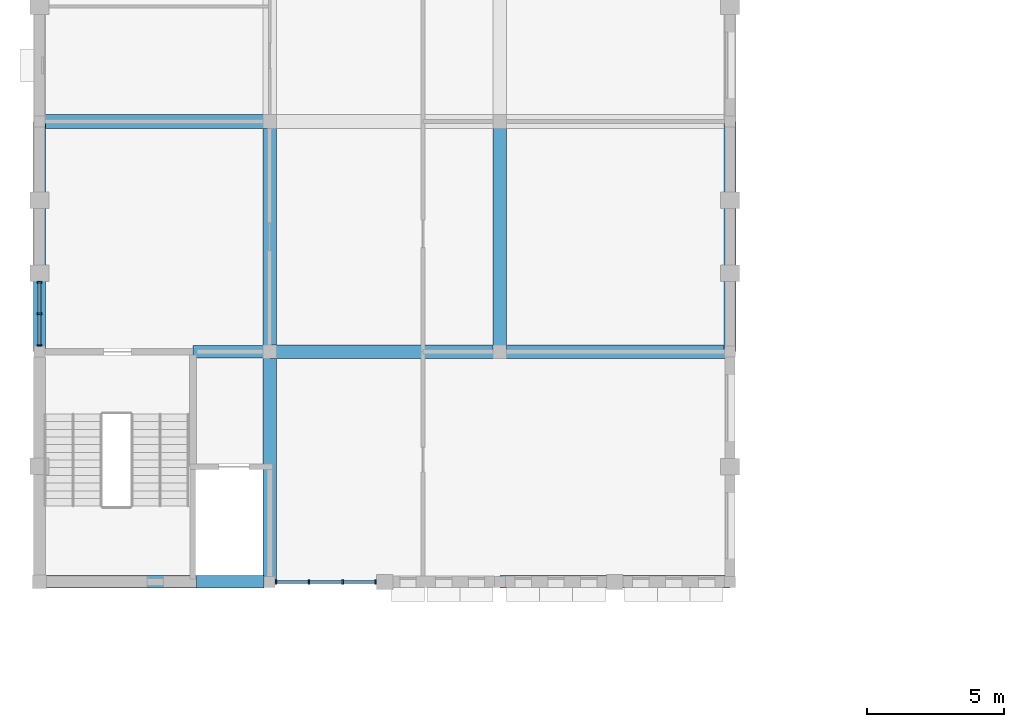
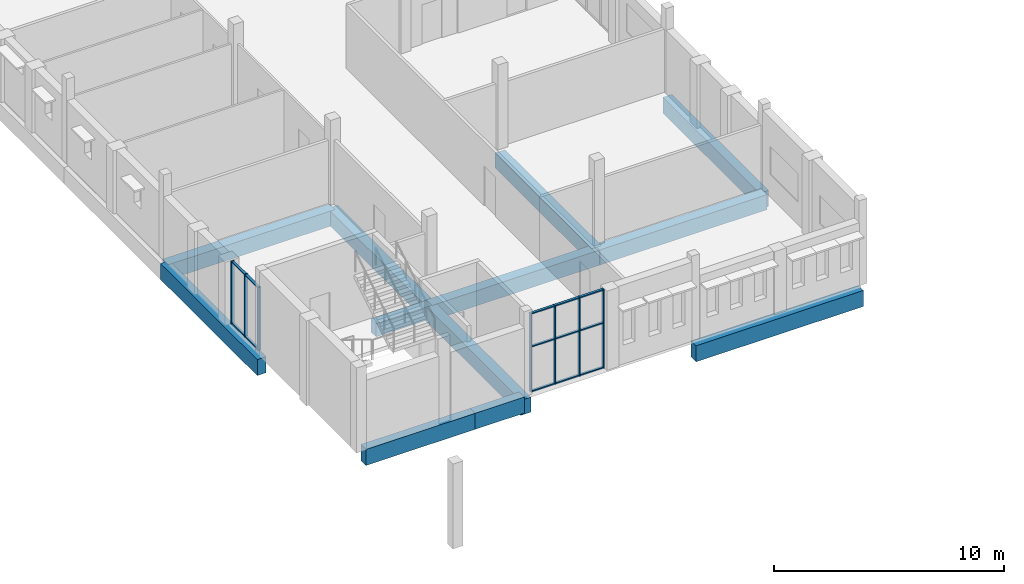
# One storey, part 3 of 38: 20 members, 12 beams, 2 elements without a shape of their own.
"""IFC4 building model written with IfcOpenShell, lengths in metres."""

from ifc_helpers import new_model, si_unit, direction, frame, origin, origin_2d, place, context, subcontext, project, spatial, rectangle, extrude, material, material_profile, profile_set, type_object, element, aggregate, save


model = new_model("IFC4")

# Units and contexts
model_context = context("Model", 3, precision=1e-05, world=origin(), true_north=direction((0.0, 1.0)))
body_context = subcontext(model_context, "Body", "Model", "MODEL_VIEW")
ifc_project = project(units=[si_unit("LENGTHUNIT", "METRE"), si_unit("AREAUNIT", "SQUARE_METRE"), si_unit("VOLUMEUNIT", "CUBIC_METRE"), si_unit("PLANEANGLEUNIT", "RADIAN"), si_unit("MASSUNIT", "GRAM", prefix="KILO")], contexts=[model_context])

# Site, building, storey
site_placement = place(None, origin())
site = spatial("IfcSite", under=ifc_project, at=site_placement, CompositionType="ELEMENT")
building_placement = place(site_placement, origin())
building = spatial("IfcBuilding", under=site, at=building_placement, Name="Fescue Hill Polytechnic", CompositionType="ELEMENT")
storey_placement = place(building_placement, frame((0.0, 0.0, 18.0)))
storey = spatial("IfcBuildingStorey", under=building, at=storey_placement, Name="L04", CompositionType="ELEMENT", Elevation=18.0)

# Beams
ifc_material_1 = material(Name="Concrete 35 MPa", Category="concrete")
ifc_material_profile_1 = material_profile(ifc_material_1, rectangle(XDim=0.449951171875, YDim=0.699951171875, at=origin_2d()), Name="RC 450x700")
ifc_profile_set_1 = profile_set([ifc_material_profile_1], Name="Concrete 35 MPa")
beam_type_1 = type_object("IfcBeamType", Name="Beam RC 450x700", PredefinedType="BEAM", material=ifc_profile_set_1)
beam_1_placement = place(storey_placement, frame((5.60009765625, 58.800048828125, -0.64990234375), z_axis=(1.0, 0.0, 0.0), x_axis=(0.0, 1.0, 0.0)))
element("IfcBeam", 1, at=beam_1_placement, inside=storey, type_object=beam_type_1, Name="BM-L04-0014", PredefinedType="BEAM", context=body_context, shape_type="SweptSolid", body=[
    extrude(rectangle(XDim=0.449951171875, YDim=0.699951171875, at=origin_2d()), origin(), (0.0, 0.0, 1.0), 2.789794921875),
])
ifc_material_profile_2 = material_profile(ifc_material_1, rectangle(XDim=0.449951171875, YDim=0.85009765625, at=origin_2d()), Name="RC 450x850")
ifc_profile_set_2 = profile_set([ifc_material_profile_2], Name="Concrete 35 MPa")
beam_type_2 = type_object("IfcBeamType", Name="Beam RC 450x850", PredefinedType="BEAM", material=ifc_profile_set_2)
for number, where, z_axis, x_axis, name in (
    (2, (0.0, 58.800048828125, -0.72509765625), (0.0, 1.0, 0.0), (-1.0, 0.0, 0.0), "BM-L04-0001"),
    (3, (16.800048828125, 50.39990234375, -0.72509765625), (1.0, 0.0, 0.0), (0.0, 1.0, 0.0), "BM-L04-0032"),
    (4, (25.199951171875, 58.800048828125, -0.72509765625), (0.0, 1.0, 0.0), (-1.0, 0.0, 0.0), "BM-L04-0051"),
):
    element("IfcBeam", number, at=place(storey_placement, frame(where, z_axis=z_axis, x_axis=x_axis)), inside=storey, type_object=beam_type_2, Name=name, PredefinedType="BEAM", context=body_context, shape_type="SweptSolid", body=[
        extrude(rectangle(XDim=0.449951171875, YDim=0.85009765625, at=origin_2d()), origin(), (0.0, 0.0, 1.0), 8.39990234375),
    ])
beam_2_placement = place(storey_placement, frame((0.25, 50.39990234375, -0.425048828125), z_axis=(1.0, 0.0, 0.0), x_axis=(0.0, 1.0, 0.0)))
element("IfcBeam", 5, at=beam_2_placement, inside=storey, type_object=beam_type_2, Name="BM-L04-0123", PredefinedType="BEAM", context=body_context, shape_type="SweptSolid", body=[
    extrude(rectangle(XDim=0.449951171875, YDim=0.85009765625, at=origin_2d()), origin(), (0.0, 0.0, 1.0), 5.47509765625),
])
beam_3_placement = place(storey_placement, frame((5.72509765625, 50.39990234375, -0.425048828125), z_axis=(1.0, 0.0, 0.0), x_axis=(0.0, 1.0, 0.0)))
element("IfcBeam", 6, at=beam_3_placement, inside=storey, type_object=beam_type_2, Name="BM-L04-0124", PredefinedType="BEAM", context=body_context, shape_type="SweptSolid", body=[
    extrude(rectangle(XDim=0.449951171875, YDim=0.85009765625, at=origin_2d()), origin(), (0.0, 0.0, 1.0), 2.474853515625),
])
ifc_material_profile_3 = material_profile(ifc_material_1, rectangle(XDim=0.5, YDim=0.800048828125, at=origin_2d()), Name="RC 500x800")
ifc_profile_set_3 = profile_set([ifc_material_profile_3], Name="Concrete 35 MPa")
beam_type_3 = type_object("IfcBeamType", Name="Beam RC 500x800", PredefinedType="BEAM", material=ifc_profile_set_3)
beam_4_placement = place(storey_placement, frame((0.010009765625, 67.199951171875, -0.699951171875), z_axis=(1.0, 0.0, 0.0), x_axis=(0.0, 1.0, 0.0)))
element("IfcBeam", 7, at=beam_4_placement, inside=storey, type_object=beam_type_3, Name="BM-L04-0008", PredefinedType="BEAM", context=body_context, shape_type="SweptSolid", body=[
    extrude(rectangle(XDim=0.5, YDim=0.800048828125, at=origin_2d()), origin(), (0.0, 0.0, 1.0), 8.3798828125),
])
beam_5_placement = place(storey_placement, frame((8.39990234375, 50.39990234375, -0.699951171875), z_axis=(0.0, 1.0, 0.0), x_axis=(-1.0, 0.0, 0.0)))
element("IfcBeam", 8, at=beam_5_placement, inside=storey, type_object=beam_type_3, Name="BM-L04-0016", PredefinedType="BEAM", context=body_context, shape_type="SweptSolid", body=[
    extrude(rectangle(XDim=0.5, YDim=0.800048828125, at=origin_2d()), origin(), (0.0, 0.0, 1.0), 8.400146484375),
])
beam_6_placement = place(storey_placement, frame((8.39990234375, 58.800048828125, -0.699951171875), z_axis=(0.0, 1.0, 0.0), x_axis=(-1.0, 0.0, 0.0)))
element("IfcBeam", 9, at=beam_6_placement, inside=storey, type_object=beam_type_3, Name="BM-L04-0017", PredefinedType="BEAM", context=body_context, shape_type="SweptSolid", body=[
    extrude(rectangle(XDim=0.5, YDim=0.800048828125, at=origin_2d()), origin(), (0.0, 0.0, 1.0), 8.39990234375),
])
beam_7_placement = place(storey_placement, frame((8.409912109375, 58.800048828125, -0.699951171875), z_axis=(1.0, 0.0, 0.0), x_axis=(0.0, 1.0, 0.0)))
element("IfcBeam", 10, at=beam_7_placement, inside=storey, type_object=beam_type_3, Name="BM-L04-0024", PredefinedType="BEAM", context=body_context, shape_type="SweptSolid", body=[
    extrude(rectangle(XDim=0.5, YDim=0.800048828125, at=origin_2d()), origin(), (0.0, 0.0, 1.0), 8.380126953125),
])
beam_8_placement = place(storey_placement, frame((16.800048828125, 58.800048828125, -0.699951171875), z_axis=(0.0, 1.0, 0.0), x_axis=(-1.0, 0.0, 0.0)))
element("IfcBeam", 11, at=beam_8_placement, inside=storey, type_object=beam_type_3, Name="BM-L04-0033", PredefinedType="BEAM", context=body_context, shape_type="SweptSolid", body=[
    extrude(rectangle(XDim=0.5, YDim=0.800048828125, at=origin_2d()), origin(), (0.0, 0.0, 1.0), 8.39990234375),
])
beam_9_placement = place(storey_placement, frame((16.81005859375, 58.800048828125, -0.699951171875), z_axis=(1.0, 0.0, 0.0), x_axis=(0.0, 1.0, 0.0)))
element("IfcBeam", 12, at=beam_9_placement, inside=storey, type_object=beam_type_3, Name="BM-L04-0043", PredefinedType="BEAM", context=body_context, shape_type="SweptSolid", body=[
    extrude(rectangle(XDim=0.5, YDim=0.800048828125, at=origin_2d()), origin(), (0.0, 0.0, 1.0), 8.3798828125),
])

# Curtain wall, members
ifc_material_2 = material(Name="Glass", Category="glass")
curtain_wall_type = type_object("IfcCurtainWallType", Name="Curtain wall structural glazing", PredefinedType="NOTDEFINED", material=ifc_material_2)
curtain_wall_1_placement = place(storey_placement, origin())
curtain_wall_1 = element("IfcCurtainWall", 13, at=curtain_wall_1_placement, inside=storey, type_object=curtain_wall_type, Name="CW-L04-V4-X1", PredefinedType="NOTDEFINED")
ifc_material_3 = material(Name="Powder-coated aluminium", Category="aluminium")
ifc_material_profile_4 = material_profile(ifc_material_3, rectangle(XDim=0.159912109375, YDim=0.06005859375, at=origin_2d()), Name="Mullion aluminium 60x160")
ifc_profile_set_4 = profile_set([ifc_material_profile_4], Name="Powder-coated aluminium")
member_type_1 = type_object("IfcMemberType", Name="Mullion aluminium 60x160", PredefinedType="MULLION", material=ifc_profile_set_4)
member_1_placement = place(storey_placement, frame((0.0, 61.336669921875, 0.0), z_axis=(0.0, 0.0, 1.0), x_axis=(1.0, 0.0, 0.0)))
member_1 = element("IfcMember", 14, at=member_1_placement, type_object=member_type_1, Name="CW124 mullion 1", PredefinedType="MULLION", context=body_context, shape_type="SweptSolid", body=[
    extrude(rectangle(XDim=0.159912109375, YDim=0.06005859375, at=origin_2d()), origin(), (0.0, 0.0, 1.0), 3.330078125),
])
member_2_placement = place(storey_placement, frame((0.0, 60.183349609375, 0.0), z_axis=(0.0, 0.0, 1.0), x_axis=(1.0, 0.0, 0.0)))
member_2 = element("IfcMember", 15, at=member_2_placement, type_object=member_type_1, Name="CW124 mullion 2", PredefinedType="MULLION", context=body_context, shape_type="SweptSolid", body=[
    extrude(rectangle(XDim=0.159912109375, YDim=0.06005859375, at=origin_2d()), origin(), (0.0, 0.0, 1.0), 3.330078125),
])
member_3_placement = place(storey_placement, frame((0.0, 59.030029296875, 0.0), z_axis=(0.0, 0.0, 1.0), x_axis=(1.0, 0.0, 0.0)))
member_3 = element("IfcMember", 16, at=member_3_placement, type_object=member_type_1, Name="CW124 mullion 3", PredefinedType="MULLION", context=body_context, shape_type="SweptSolid", body=[
    extrude(rectangle(XDim=0.159912109375, YDim=0.06005859375, at=origin_2d()), origin(), (0.0, 0.0, 1.0), 3.330078125),
])

curtain_wall_2_placement = place(storey_placement, origin())
curtain_wall_2 = element("IfcCurtainWall", 17, at=curtain_wall_2_placement, inside=storey, type_object=curtain_wall_type, Name="CW-L04-V4-X4", PredefinedType="NOTDEFINED")
member_4_placement = place(storey_placement, frame((8.6298828125, 50.39990234375, 0.0), z_axis=(0.0, 0.0, 1.0), x_axis=(0.0, 1.0, 0.0)))
member_4 = element("IfcMember", 18, at=member_4_placement, type_object=member_type_1, Name="CW142 mullion 1", PredefinedType="MULLION", context=body_context, shape_type="SweptSolid", body=[
    extrude(rectangle(XDim=0.159912109375, YDim=0.06005859375, at=origin_2d()), origin(), (0.0, 0.0, 1.0), 4.179931640625),
])
member_5_placement = place(storey_placement, frame((9.833251953125, 50.39990234375, 0.0), z_axis=(0.0, 0.0, 1.0), x_axis=(0.0, 1.0, 0.0)))
member_5 = element("IfcMember", 19, at=member_5_placement, type_object=member_type_1, Name="CW142 mullion 2", PredefinedType="MULLION", context=body_context, shape_type="SweptSolid", body=[
    extrude(rectangle(XDim=0.159912109375, YDim=0.06005859375, at=origin_2d()), origin(), (0.0, 0.0, 1.0), 4.179931640625),
])
member_6_placement = place(storey_placement, frame((11.066650390625, 50.39990234375, 0.0), z_axis=(0.0, 0.0, 1.0), x_axis=(0.0, 1.0, 0.0)))
member_6 = element("IfcMember", 20, at=member_6_placement, type_object=member_type_1, Name="CW142 mullion 3", PredefinedType="MULLION", context=body_context, shape_type="SweptSolid", body=[
    extrude(rectangle(XDim=0.159912109375, YDim=0.06005859375, at=origin_2d()), origin(), (0.0, 0.0, 1.0), 4.179931640625),
])
member_7_placement = place(storey_placement, frame((12.27001953125, 50.39990234375, 0.0), z_axis=(0.0, 0.0, 1.0), x_axis=(0.0, 1.0, 0.0)))
member_7 = element("IfcMember", 21, at=member_7_placement, type_object=member_type_1, Name="CW142 mullion 4", PredefinedType="MULLION", context=body_context, shape_type="SweptSolid", body=[
    extrude(rectangle(XDim=0.159912109375, YDim=0.06005859375, at=origin_2d()), origin(), (0.0, 0.0, 1.0), 4.179931640625),
])

# Member
ifc_material_profile_5 = material_profile(ifc_material_3, rectangle(XDim=0.1201171875, YDim=0.06005859375, at=origin_2d()), Name="Transom aluminium 60x120")
ifc_profile_set_5 = profile_set([ifc_material_profile_5], Name="Powder-coated aluminium")
member_type_2 = type_object("IfcMemberType", Name="Transom aluminium 60x120", PredefinedType="USERDEFINED", material=ifc_profile_set_5)
member_8_placement = place(storey_placement, frame((0.0, 61.306640625, 0.030029296875), z_axis=(0.0, -1.0, 0.0), x_axis=(1.0, 0.0, 0.0)))
member_8 = element("IfcMember", 22, at=member_8_placement, type_object=member_type_2, Name="CW124 transom 1.1", ObjectType="TRANSOM", PredefinedType="USERDEFINED", context=body_context, shape_type="SweptSolid", body=[
    extrude(rectangle(XDim=0.1201171875, YDim=0.06005859375, at=origin_2d()), origin(), (0.0, 0.0, 1.0), 1.09326171875),
])

member_9_placement = place(storey_placement, frame((0.0, 61.306640625, 3.300048828125), z_axis=(0.0, -1.0, 0.0), x_axis=(1.0, 0.0, 0.0)))
member_9 = element("IfcMember", 23, at=member_9_placement, type_object=member_type_2, Name="CW124 transom 1.2", ObjectType="TRANSOM", PredefinedType="USERDEFINED", context=body_context, shape_type="SweptSolid", body=[
    extrude(rectangle(XDim=0.1201171875, YDim=0.06005859375, at=origin_2d()), origin(), (0.0, 0.0, 1.0), 1.09326171875),
])

member_10_placement = place(storey_placement, frame((0.0, 60.1533203125, 0.030029296875), z_axis=(0.0, -1.0, 0.0), x_axis=(1.0, 0.0, 0.0)))
member_10 = element("IfcMember", 24, at=member_10_placement, type_object=member_type_2, Name="CW124 transom 2.1", ObjectType="TRANSOM", PredefinedType="USERDEFINED", context=body_context, shape_type="SweptSolid", body=[
    extrude(rectangle(XDim=0.1201171875, YDim=0.06005859375, at=origin_2d()), origin(), (0.0, 0.0, 1.0), 1.09326171875),
])

member_11_placement = place(storey_placement, frame((0.0, 60.1533203125, 3.300048828125), z_axis=(0.0, -1.0, 0.0), x_axis=(1.0, 0.0, 0.0)))
member_11 = element("IfcMember", 25, at=member_11_placement, type_object=member_type_2, Name="CW124 transom 2.2", ObjectType="TRANSOM", PredefinedType="USERDEFINED", context=body_context, shape_type="SweptSolid", body=[
    extrude(rectangle(XDim=0.1201171875, YDim=0.06005859375, at=origin_2d()), origin(), (0.0, 0.0, 1.0), 1.09326171875),
])

aggregate(curtain_wall_1, [member_1, member_2, member_3, member_8, member_9, member_10, member_11])

member_12_placement = place(storey_placement, frame((8.659912109375, 50.39990234375, 0.030029296875), z_axis=(1.0, 0.0, 0.0), x_axis=(0.0, 1.0, 0.0)))
member_12 = element("IfcMember", 26, at=member_12_placement, type_object=member_type_2, Name="CW142 transom 1.1", ObjectType="TRANSOM", PredefinedType="USERDEFINED", context=body_context, shape_type="SweptSolid", body=[
    extrude(rectangle(XDim=0.1201171875, YDim=0.06005859375, at=origin_2d()), origin(), (0.0, 0.0, 1.0), 1.143310546875),
])

member_13_placement = place(storey_placement, frame((8.659912109375, 50.39990234375, 2.39990234375), z_axis=(1.0, 0.0, 0.0), x_axis=(0.0, 1.0, 0.0)))
member_13 = element("IfcMember", 27, at=member_13_placement, type_object=member_type_2, Name="CW142 transom 1.2", ObjectType="TRANSOM", PredefinedType="USERDEFINED", context=body_context, shape_type="SweptSolid", body=[
    extrude(rectangle(XDim=0.1201171875, YDim=0.06005859375, at=origin_2d()), origin(), (0.0, 0.0, 1.0), 1.143310546875),
])

member_14_placement = place(storey_placement, frame((8.659912109375, 50.39990234375, 4.14990234375), z_axis=(1.0, 0.0, 0.0), x_axis=(0.0, 1.0, 0.0)))
member_14 = element("IfcMember", 28, at=member_14_placement, type_object=member_type_2, Name="CW142 transom 1.3", ObjectType="TRANSOM", PredefinedType="USERDEFINED", context=body_context, shape_type="SweptSolid", body=[
    extrude(rectangle(XDim=0.1201171875, YDim=0.06005859375, at=origin_2d()), origin(), (0.0, 0.0, 1.0), 1.143310546875),
])

member_15_placement = place(storey_placement, frame((9.86328125, 50.39990234375, 0.030029296875), z_axis=(1.0, 0.0, 0.0), x_axis=(0.0, 1.0, 0.0)))
member_15 = element("IfcMember", 29, at=member_15_placement, type_object=member_type_2, Name="CW142 transom 2.1", ObjectType="TRANSOM", PredefinedType="USERDEFINED", context=body_context, shape_type="SweptSolid", body=[
    extrude(rectangle(XDim=0.1201171875, YDim=0.06005859375, at=origin_2d()), origin(), (0.0, 0.0, 1.0), 1.17333984375),
])

member_16_placement = place(storey_placement, frame((9.86328125, 50.39990234375, 2.39990234375), z_axis=(1.0, 0.0, 0.0), x_axis=(0.0, 1.0, 0.0)))
member_16 = element("IfcMember", 30, at=member_16_placement, type_object=member_type_2, Name="CW142 transom 2.2", ObjectType="TRANSOM", PredefinedType="USERDEFINED", context=body_context, shape_type="SweptSolid", body=[
    extrude(rectangle(XDim=0.1201171875, YDim=0.06005859375, at=origin_2d()), origin(), (0.0, 0.0, 1.0), 1.17333984375),
])

member_17_placement = place(storey_placement, frame((9.86328125, 50.39990234375, 4.14990234375), z_axis=(1.0, 0.0, 0.0), x_axis=(0.0, 1.0, 0.0)))
member_17 = element("IfcMember", 31, at=member_17_placement, type_object=member_type_2, Name="CW142 transom 2.3", ObjectType="TRANSOM", PredefinedType="USERDEFINED", context=body_context, shape_type="SweptSolid", body=[
    extrude(rectangle(XDim=0.1201171875, YDim=0.06005859375, at=origin_2d()), origin(), (0.0, 0.0, 1.0), 1.17333984375),
])

member_18_placement = place(storey_placement, frame((11.0966796875, 50.39990234375, 0.030029296875), z_axis=(1.0, 0.0, 0.0), x_axis=(0.0, 1.0, 0.0)))
member_18 = element("IfcMember", 32, at=member_18_placement, type_object=member_type_2, Name="CW142 transom 3.1", ObjectType="TRANSOM", PredefinedType="USERDEFINED", context=body_context, shape_type="SweptSolid", body=[
    extrude(rectangle(XDim=0.1201171875, YDim=0.06005859375, at=origin_2d()), origin(), (0.0, 0.0, 1.0), 1.143310546875),
])

member_19_placement = place(storey_placement, frame((11.0966796875, 50.39990234375, 2.39990234375), z_axis=(1.0, 0.0, 0.0), x_axis=(0.0, 1.0, 0.0)))
member_19 = element("IfcMember", 33, at=member_19_placement, type_object=member_type_2, Name="CW142 transom 3.2", ObjectType="TRANSOM", PredefinedType="USERDEFINED", context=body_context, shape_type="SweptSolid", body=[
    extrude(rectangle(XDim=0.1201171875, YDim=0.06005859375, at=origin_2d()), origin(), (0.0, 0.0, 1.0), 1.143310546875),
])

member_20_placement = place(storey_placement, frame((11.0966796875, 50.39990234375, 4.14990234375), z_axis=(1.0, 0.0, 0.0), x_axis=(0.0, 1.0, 0.0)))
member_20 = element("IfcMember", 34, at=member_20_placement, type_object=member_type_2, Name="CW142 transom 3.3", ObjectType="TRANSOM", PredefinedType="USERDEFINED", context=body_context, shape_type="SweptSolid", body=[
    extrude(rectangle(XDim=0.1201171875, YDim=0.06005859375, at=origin_2d()), origin(), (0.0, 0.0, 1.0), 1.143310546875),
])

aggregate(curtain_wall_2, [member_4, member_5, member_6, member_7, member_12, member_13, member_14, member_15, member_16, member_17, member_18, member_19, member_20])

save(model, "model.ifc")
